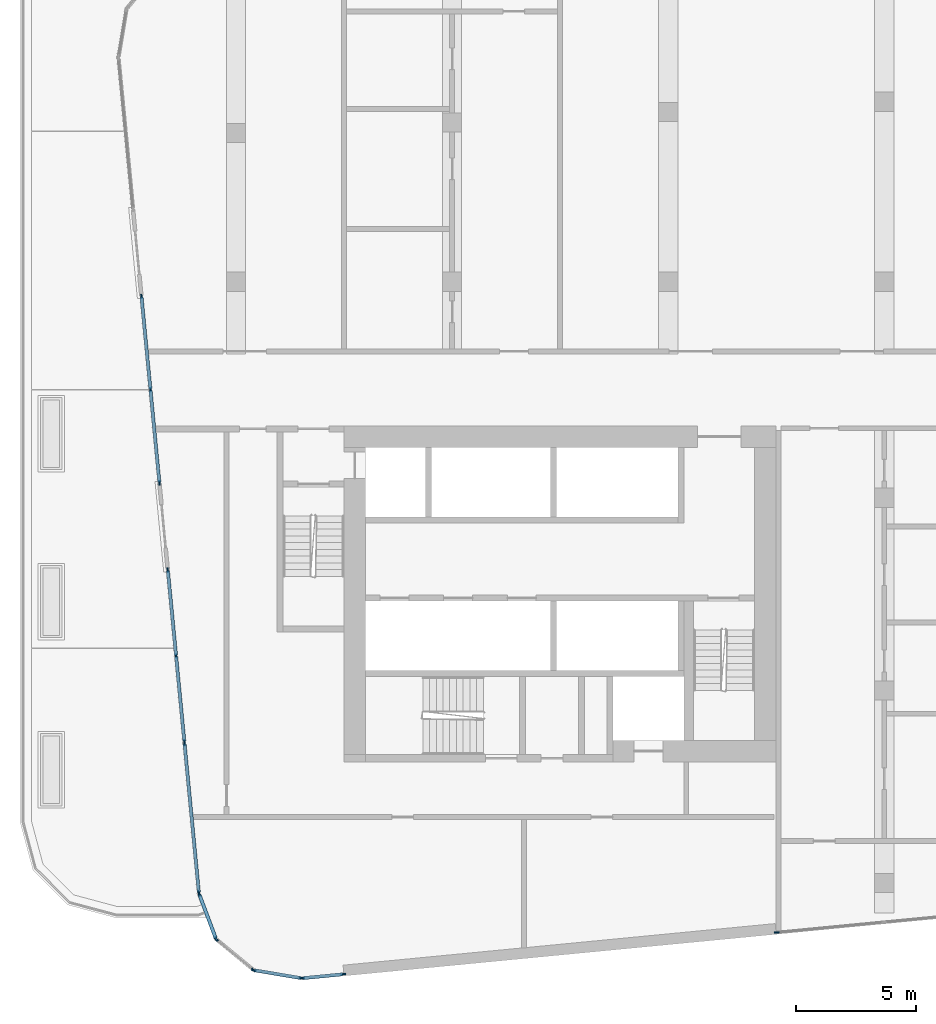
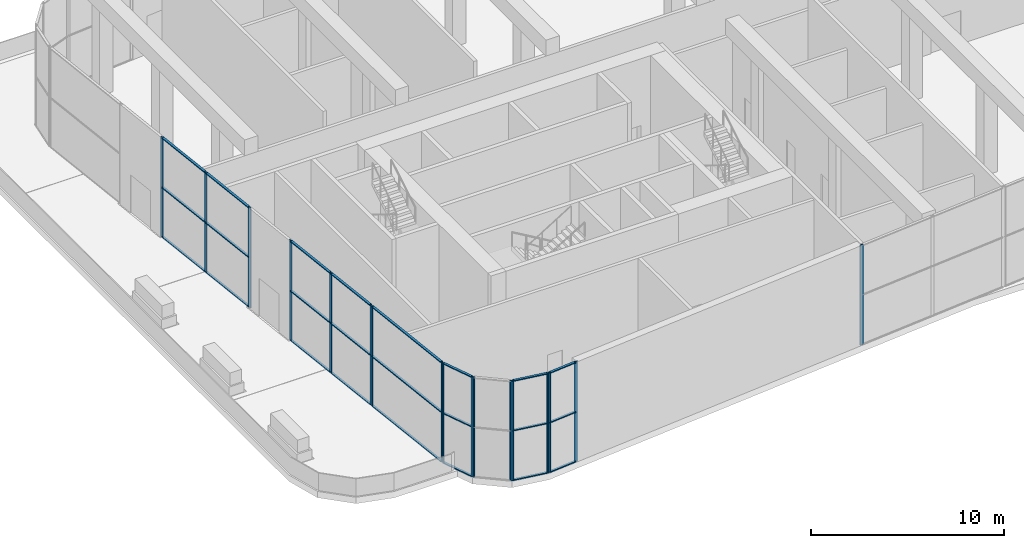
# One storey, part 2 of 25: 41 members, 8 elements without a shape of their own.
"""IFC4 building model written with IfcOpenShell, lengths in metres."""

from ifc_helpers import new_model, si_unit, direction, frame, origin, origin_2d, place, context, subcontext, project, spatial, rectangle, extrude, material, material_profile, profile_set, type_object, element, aggregate, save


model = new_model("IFC4")

# Units and contexts
model_context = context("Model", 3, precision=1e-05, world=origin(), true_north=direction((0.0, 1.0)))
body_context = subcontext(model_context, "Body", "Model", "MODEL_VIEW")
ifc_project = project(units=[si_unit("LENGTHUNIT", "METRE"), si_unit("AREAUNIT", "SQUARE_METRE"), si_unit("VOLUMEUNIT", "CUBIC_METRE"), si_unit("PLANEANGLEUNIT", "RADIAN"), si_unit("MASSUNIT", "GRAM", prefix="KILO")], contexts=[model_context])

# Site, building, storey
site_placement = place(None, origin())
site = spatial("IfcSite", under=ifc_project, at=site_placement, CompositionType="ELEMENT")
building_placement = place(site_placement, origin())
building = spatial("IfcBuilding", under=site, at=building_placement, Name="Kajstack Hotel Tower", CompositionType="ELEMENT")
storey_placement = place(building_placement, frame((0.0, 0.0, 104.199951171875)))
storey = spatial("IfcBuildingStorey", under=building, at=storey_placement, Name="L22", CompositionType="ELEMENT", Elevation=104.199951171875)

# Curtain wall, members
ifc_material_1 = material(Name="Aluminium-framed curtain wall, low-iron insulated glass", Category="aluminium")
curtain_wall_type = type_object("IfcCurtainWallType", Name="CW-GARDEN", PredefinedType="NOTDEFINED", material=ifc_material_1)
curtain_wall_1_placement = place(storey_placement, origin())
curtain_wall_1 = element("IfcCurtainWall", 1, at=curtain_wall_1_placement, inside=storey, type_object=curtain_wall_type, Name="Curtain wall CU6 L22-00-02-0", PredefinedType="NOTDEFINED")
ifc_material_2 = material(Name="Aluminium", Category="aluminium")
ifc_material_profile_1 = material_profile(ifc_material_2, rectangle(XDim=0.06005859375, YDim=0.199951171875, at=origin_2d()), Name="Aluminium mullion 60 x 200")
ifc_profile_set_1 = profile_set([ifc_material_profile_1], Name="Aluminium")
member_type_1 = type_object("IfcMemberType", Name="CW-M-GARDEN", PredefinedType="MULLION", material=ifc_profile_set_1)
member_1_placement = place(storey_placement, frame((-39.942138671875, 3.885498046875, 0.0), z_axis=(0.0, 0.0, 1.0), x_axis=(0.995396181858, 0.095845923974, 0.0)))
member_1 = element("IfcMember", 2, at=member_1_placement, type_object=member_type_1, Name="CU6 mullion 1", PredefinedType="MULLION", context=body_context, shape_type="SweptSolid", body=[
    extrude(rectangle(XDim=0.06005859375, YDim=0.199951171875, at=origin_2d()), origin(), (0.0, 0.0, 1.0), 6.320068359375),
])
member_2_placement = place(storey_placement, frame((-39.56884765625, 0.007080078125, 0.0), z_axis=(0.0, 0.0, 1.0), x_axis=(0.995396181858, 0.095845923974, 0.0)))
member_2 = element("IfcMember", 3, at=member_2_placement, type_object=member_type_1, Name="CU6 mullion 2", PredefinedType="MULLION", context=body_context, shape_type="SweptSolid", body=[
    extrude(rectangle(XDim=0.06005859375, YDim=0.199951171875, at=origin_2d()), origin(), (0.0, 0.0, 1.0), 6.320068359375),
])
member_3_placement = place(storey_placement, frame((-39.1953125, -3.871337890625, 0.0), z_axis=(0.0, 0.0, 1.0), x_axis=(0.995396181858, 0.095845923974, 0.0)))
member_3 = element("IfcMember", 4, at=member_3_placement, type_object=member_type_1, Name="CU6 mullion 3", PredefinedType="MULLION", context=body_context, shape_type="SweptSolid", body=[
    extrude(rectangle(XDim=0.06005859375, YDim=0.199951171875, at=origin_2d()), origin(), (0.0, 0.0, 1.0), 6.320068359375),
])

curtain_wall_2_placement = place(storey_placement, origin())
curtain_wall_2 = element("IfcCurtainWall", 5, at=curtain_wall_2_placement, inside=storey, type_object=curtain_wall_type, Name="Curtain wall CU6 L22-00-04-0", PredefinedType="NOTDEFINED")
member_4_placement = place(storey_placement, frame((-38.844482421875, -7.514404296875, 0.0), z_axis=(0.0, 0.0, 1.0), x_axis=(0.995396182526, 0.095845917042, 0.0)))
member_4 = element("IfcMember", 6, at=member_4_placement, type_object=member_type_1, Name="CU6 mullion 1", PredefinedType="MULLION", context=body_context, shape_type="SweptSolid", body=[
    extrude(rectangle(XDim=0.06005859375, YDim=0.199951171875, at=origin_2d()), origin(), (0.0, 0.0, 1.0), 6.320068359375),
])
member_5_placement = place(storey_placement, frame((-38.500244140625, -11.088623046875, 0.0), z_axis=(0.0, 0.0, 1.0), x_axis=(0.995396182526, 0.095845917042, 0.0)))
member_5 = element("IfcMember", 7, at=member_5_placement, type_object=member_type_1, Name="CU6 mullion 2", PredefinedType="MULLION", context=body_context, shape_type="SweptSolid", body=[
    extrude(rectangle(XDim=0.06005859375, YDim=0.199951171875, at=origin_2d()), origin(), (0.0, 0.0, 1.0), 6.320068359375),
])
member_6_placement = place(storey_placement, frame((-38.15625, -14.6630859375, 0.0), z_axis=(0.0, 0.0, 1.0), x_axis=(0.995396182526, 0.095845917042, 0.0)))
member_6 = element("IfcMember", 8, at=member_6_placement, type_object=member_type_1, Name="CU6 mullion 3", PredefinedType="MULLION", context=body_context, shape_type="SweptSolid", body=[
    extrude(rectangle(XDim=0.06005859375, YDim=0.199951171875, at=origin_2d()), origin(), (0.0, 0.0, 1.0), 6.320068359375),
])

curtain_wall_3_placement = place(storey_placement, origin())
curtain_wall_3 = element("IfcCurtainWall", 9, at=curtain_wall_3_placement, inside=storey, type_object=curtain_wall_type, Name="Curtain wall CU6 L22-00-04-1", PredefinedType="NOTDEFINED")
member_7_placement = place(storey_placement, frame((-38.150390625, -14.72265625, 0.0), z_axis=(0.0, 0.0, 1.0), x_axis=(0.995396188258, 0.095845857505, 0.0)))
member_7 = element("IfcMember", 10, at=member_7_placement, type_object=member_type_1, Name="CU6 mullion 1", PredefinedType="MULLION", context=body_context, shape_type="SweptSolid", body=[
    extrude(rectangle(XDim=0.06005859375, YDim=0.199951171875, at=origin_2d()), origin(), (0.0, 0.0, 1.0), 6.320068359375),
])
member_8_placement = place(storey_placement, frame((-37.550537109375, -20.95166015625, 0.0), z_axis=(0.0, 0.0, 1.0), x_axis=(0.995396188258, 0.095845857505, 0.0)))
member_8 = element("IfcMember", 11, at=member_8_placement, type_object=member_type_1, Name="CU6 mullion 2", PredefinedType="MULLION", context=body_context, shape_type="SweptSolid", body=[
    extrude(rectangle(XDim=0.06005859375, YDim=0.199951171875, at=origin_2d()), origin(), (0.0, 0.0, 1.0), 6.320068359375),
])

curtain_wall_4_placement = place(storey_placement, origin())
curtain_wall_4 = element("IfcCurtainWall", 12, at=curtain_wall_4_placement, inside=storey, type_object=curtain_wall_type, Name="Curtain wall CU6 L22-01-00-0", PredefinedType="NOTDEFINED")
member_9_placement = place(storey_placement, frame((-37.541748046875, -20.990478515625, 0.0), z_axis=(0.0, 0.0, 1.0), x_axis=(0.936680004881, 0.350186476689, 0.0)))
member_9 = element("IfcMember", 13, at=member_9_placement, type_object=member_type_1, Name="CU6 mullion 1", PredefinedType="MULLION", context=body_context, shape_type="SweptSolid", body=[
    extrude(rectangle(XDim=0.06005859375, YDim=0.199951171875, at=origin_2d()), origin(), (0.0, 0.0, 1.0), 6.320068359375),
])
member_10_placement = place(storey_placement, frame((-36.837646484375, -22.873779296875, 0.0), z_axis=(0.0, 0.0, 1.0), x_axis=(0.936680004881, 0.350186476689, 0.0)))
member_10 = element("IfcMember", 14, at=member_10_placement, type_object=member_type_1, Name="CU6 mullion 2", PredefinedType="MULLION", context=body_context, shape_type="SweptSolid", body=[
    extrude(rectangle(XDim=0.06005859375, YDim=0.199951171875, at=origin_2d()), origin(), (0.0, 0.0, 1.0), 6.320068359375),
])

curtain_wall_5_placement = place(storey_placement, origin())
curtain_wall_5 = element("IfcCurtainWall", 15, at=curtain_wall_5_placement, inside=storey, type_object=curtain_wall_type, Name="Curtain wall CU6 L22-02-00-0", PredefinedType="NOTDEFINED")
member_11_placement = place(storey_placement, frame((-36.826416015625, -22.889404296875, 0.0), z_axis=(0.0, 0.0, 1.0), x_axis=(0.636066072627, 0.771634596978, 0.0)))
member_11 = element("IfcMember", 16, at=member_11_placement, type_object=member_type_1, Name="CU6 mullion 1", PredefinedType="MULLION", context=body_context, shape_type="SweptSolid", body=[
    extrude(rectangle(XDim=0.06005859375, YDim=0.199951171875, at=origin_2d()), origin(), (0.0, 0.0, 1.0), 6.320068359375),
])
member_12_placement = place(storey_placement, frame((-35.275146484375, -24.168212890625, 0.0), z_axis=(0.0, 0.0, 1.0), x_axis=(0.636066072627, 0.771634596978, 0.0)))
member_12 = element("IfcMember", 17, at=member_12_placement, type_object=member_type_1, Name="CU6 mullion 2", PredefinedType="MULLION", context=body_context, shape_type="SweptSolid", body=[
    extrude(rectangle(XDim=0.06005859375, YDim=0.199951171875, at=origin_2d()), origin(), (0.0, 0.0, 1.0), 6.320068359375),
])
aggregate(curtain_wall_5, [member_11, member_12])

curtain_wall_6_placement = place(storey_placement, origin())
curtain_wall_6 = element("IfcCurtainWall", 18, at=curtain_wall_6_placement, inside=storey, type_object=curtain_wall_type, Name="Curtain wall CU6 L22-03-00-0", PredefinedType="NOTDEFINED")
member_13_placement = place(storey_placement, frame((-35.257568359375, -24.17626953125, 0.0), z_axis=(0.0, 0.0, 1.0), x_axis=(0.16503335054, 0.986287986954, 0.0)))
member_13 = element("IfcMember", 19, at=member_13_placement, type_object=member_type_1, Name="CU6 mullion 1", PredefinedType="MULLION", context=body_context, shape_type="SweptSolid", body=[
    extrude(rectangle(XDim=0.06005859375, YDim=0.199951171875, at=origin_2d()), origin(), (0.0, 0.0, 1.0), 6.320068359375),
])
member_14_placement = place(storey_placement, frame((-33.274658203125, -24.508056640625, 0.0), z_axis=(0.0, 0.0, 1.0), x_axis=(0.16503335054, 0.986287986954, 0.0)))
member_14 = element("IfcMember", 20, at=member_14_placement, type_object=member_type_1, Name="CU6 mullion 2", PredefinedType="MULLION", context=body_context, shape_type="SweptSolid", body=[
    extrude(rectangle(XDim=0.06005859375, YDim=0.199951171875, at=origin_2d()), origin(), (0.0, 0.0, 1.0), 6.320068359375),
])

curtain_wall_7_placement = place(storey_placement, origin())
curtain_wall_7 = element("IfcCurtainWall", 21, at=curtain_wall_7_placement, inside=storey, type_object=curtain_wall_type, Name="Curtain wall CU6 L22-04-00-0", PredefinedType="NOTDEFINED")
member_15_placement = place(storey_placement, frame((-33.23486328125, -24.50927734375, 0.0), z_axis=(0.0, 0.0, 1.0), x_axis=(-0.095845634766, 0.995396209706, 0.0)))
member_15 = element("IfcMember", 22, at=member_15_placement, type_object=member_type_1, Name="CU6 mullion 1", PredefinedType="MULLION", context=body_context, shape_type="SweptSolid", body=[
    extrude(rectangle(XDim=0.06005859375, YDim=0.199951171875, at=origin_2d()), origin(), (0.0, 0.0, 1.0), 6.320068359375),
])
member_16_placement = place(storey_placement, frame((-31.537109375, -24.345947265625, 0.0), z_axis=(0.0, 0.0, 1.0), x_axis=(-0.095845634766, 0.995396209706, 0.0)))
member_16 = element("IfcMember", 23, at=member_16_placement, type_object=member_type_1, Name="CU6 mullion 2", PredefinedType="MULLION", context=body_context, shape_type="SweptSolid", body=[
    extrude(rectangle(XDim=0.06005859375, YDim=0.199951171875, at=origin_2d()), origin(), (0.0, 0.0, 1.0), 6.320068359375),
])

# Curtain wall, member
curtain_wall_8_placement = place(storey_placement, origin())
curtain_wall_8 = element("IfcCurtainWall", 24, at=curtain_wall_8_placement, inside=storey, type_object=curtain_wall_type, Name="Curtain wall CU6 L22-04-02-0", PredefinedType="NOTDEFINED")
member_17_placement = place(storey_placement, frame((-13.477294921875, -22.60693359375, 0.0), z_axis=(0.0, 0.0, 1.0), x_axis=(-0.095845530442, 0.995396219751, 0.0)))
member_17 = element("IfcMember", 25, at=member_17_placement, type_object=member_type_1, Name="CU6 mullion 1", PredefinedType="MULLION", context=body_context, shape_type="SweptSolid", body=[
    extrude(rectangle(XDim=0.06005859375, YDim=0.199951171875, at=origin_2d()), origin(), (0.0, 0.0, 1.0), 6.320068359375),
])
aggregate(curtain_wall_8, [member_17])

# Member
ifc_material_profile_2 = material_profile(ifc_material_2, rectangle(XDim=0.139892578125, YDim=0.06005859375, at=origin_2d()), Name="Aluminium transom 140 x 60")
ifc_profile_set_2 = profile_set([ifc_material_profile_2], Name="Aluminium")
member_type_2 = type_object("IfcMemberType", Name="CW-T-GARDEN", PredefinedType="USERDEFINED", material=ifc_profile_set_2)
member_18_placement = place(storey_placement, frame((-39.939208984375, 3.855712890625, 0.030029296875), z_axis=(0.095842158171, -0.995396544457, 0.0), x_axis=(0.995396544457, 0.095842158171, 0.0)))
member_18 = element("IfcMember", 26, at=member_18_placement, type_object=member_type_2, Name="CU6 transom 1.1", ObjectType="TRANSOM", PredefinedType="USERDEFINED", context=body_context, shape_type="SweptSolid", body=[
    extrude(rectangle(XDim=0.139892578125, YDim=0.06005859375, at=origin_2d()), origin(), (0.0, 0.0, 1.0), 3.836181640625),
])

member_19_placement = place(storey_placement, frame((-39.939208984375, 3.855712890625, 3.16015625), z_axis=(0.095842158171, -0.995396544457, 0.0), x_axis=(0.995396544457, 0.095842158171, 0.0)))
member_19 = element("IfcMember", 27, at=member_19_placement, type_object=member_type_2, Name="CU6 transom 1.2", ObjectType="TRANSOM", PredefinedType="USERDEFINED", context=body_context, shape_type="SweptSolid", body=[
    extrude(rectangle(XDim=0.139892578125, YDim=0.06005859375, at=origin_2d()), origin(), (0.0, 0.0, 1.0), 3.836181640625),
])

member_20_placement = place(storey_placement, frame((-39.939208984375, 3.855712890625, 6.2900390625), z_axis=(0.095842158171, -0.995396544457, 0.0), x_axis=(0.995396544457, 0.095842158171, 0.0)))
member_20 = element("IfcMember", 28, at=member_20_placement, type_object=member_type_2, Name="CU6 transom 1.3", ObjectType="TRANSOM", PredefinedType="USERDEFINED", context=body_context, shape_type="SweptSolid", body=[
    extrude(rectangle(XDim=0.139892578125, YDim=0.06005859375, at=origin_2d()), origin(), (0.0, 0.0, 1.0), 3.836181640625),
])

member_21_placement = place(storey_placement, frame((-39.56591796875, -0.022705078125, 0.030029296875), z_axis=(0.095842158171, -0.995396544457, 0.0), x_axis=(0.995396544457, 0.095842158171, 0.0)))
member_21 = element("IfcMember", 29, at=member_21_placement, type_object=member_type_2, Name="CU6 transom 2.1", ObjectType="TRANSOM", PredefinedType="USERDEFINED", context=body_context, shape_type="SweptSolid", body=[
    extrude(rectangle(XDim=0.139892578125, YDim=0.06005859375, at=origin_2d()), origin(), (0.0, 0.0, 1.0), 3.836181640625),
])

member_22_placement = place(storey_placement, frame((-39.56591796875, -0.022705078125, 3.16015625), z_axis=(0.095842158171, -0.995396544457, 0.0), x_axis=(0.995396544457, 0.095842158171, 0.0)))
member_22 = element("IfcMember", 30, at=member_22_placement, type_object=member_type_2, Name="CU6 transom 2.2", ObjectType="TRANSOM", PredefinedType="USERDEFINED", context=body_context, shape_type="SweptSolid", body=[
    extrude(rectangle(XDim=0.139892578125, YDim=0.06005859375, at=origin_2d()), origin(), (0.0, 0.0, 1.0), 3.836181640625),
])

member_23_placement = place(storey_placement, frame((-39.56591796875, -0.022705078125, 6.2900390625), z_axis=(0.095842158171, -0.995396544457, 0.0), x_axis=(0.995396544457, 0.095842158171, 0.0)))
member_23 = element("IfcMember", 31, at=member_23_placement, type_object=member_type_2, Name="CU6 transom 2.3", ObjectType="TRANSOM", PredefinedType="USERDEFINED", context=body_context, shape_type="SweptSolid", body=[
    extrude(rectangle(XDim=0.139892578125, YDim=0.06005859375, at=origin_2d()), origin(), (0.0, 0.0, 1.0), 3.836181640625),
])

aggregate(curtain_wall_1, [member_1, member_2, member_3, member_18, member_19, member_20, member_21, member_22, member_23])

member_24_placement = place(storey_placement, frame((-38.841552734375, -7.544189453125, 0.030029296875), z_axis=(0.095833617005, -0.99539736681, 0.0), x_axis=(0.99539736681, 0.095833617005, 0.0)))
member_24 = element("IfcMember", 32, at=member_24_placement, type_object=member_type_2, Name="CU6 transom 1.1", ObjectType="TRANSOM", PredefinedType="USERDEFINED", context=body_context, shape_type="SweptSolid", body=[
    extrude(rectangle(XDim=0.139892578125, YDim=0.06005859375, at=origin_2d()), origin(), (0.0, 0.0, 1.0), 3.531005859375),
])

member_25_placement = place(storey_placement, frame((-38.841552734375, -7.544189453125, 3.16015625), z_axis=(0.095833617005, -0.99539736681, 0.0), x_axis=(0.99539736681, 0.095833617005, 0.0)))
member_25 = element("IfcMember", 33, at=member_25_placement, type_object=member_type_2, Name="CU6 transom 1.2", ObjectType="TRANSOM", PredefinedType="USERDEFINED", context=body_context, shape_type="SweptSolid", body=[
    extrude(rectangle(XDim=0.139892578125, YDim=0.06005859375, at=origin_2d()), origin(), (0.0, 0.0, 1.0), 3.531005859375),
])

member_26_placement = place(storey_placement, frame((-38.841552734375, -7.544189453125, 6.2900390625), z_axis=(0.095833617005, -0.99539736681, 0.0), x_axis=(0.99539736681, 0.095833617005, 0.0)))
member_26 = element("IfcMember", 34, at=member_26_placement, type_object=member_type_2, Name="CU6 transom 1.3", ObjectType="TRANSOM", PredefinedType="USERDEFINED", context=body_context, shape_type="SweptSolid", body=[
    extrude(rectangle(XDim=0.139892578125, YDim=0.06005859375, at=origin_2d()), origin(), (0.0, 0.0, 1.0), 3.531005859375),
])

member_27_placement = place(storey_placement, frame((-38.49755859375, -11.11865234375, 0.030029296875), z_axis=(0.095908726226, -0.995390132678, 0.0), x_axis=(0.995390132678, 0.095908726226, 0.0)))
member_27 = element("IfcMember", 35, at=member_27_placement, type_object=member_type_2, Name="CU6 transom 2.1", ObjectType="TRANSOM", PredefinedType="USERDEFINED", context=body_context, shape_type="SweptSolid", body=[
    extrude(rectangle(XDim=0.139892578125, YDim=0.06005859375, at=origin_2d()), origin(), (0.0, 0.0, 1.0), 3.53076171875),
])

member_28_placement = place(storey_placement, frame((-38.49755859375, -11.11865234375, 3.16015625), z_axis=(0.095908726226, -0.995390132678, 0.0), x_axis=(0.995390132678, 0.095908726226, 0.0)))
member_28 = element("IfcMember", 36, at=member_28_placement, type_object=member_type_2, Name="CU6 transom 2.2", ObjectType="TRANSOM", PredefinedType="USERDEFINED", context=body_context, shape_type="SweptSolid", body=[
    extrude(rectangle(XDim=0.139892578125, YDim=0.06005859375, at=origin_2d()), origin(), (0.0, 0.0, 1.0), 3.53076171875),
])

member_29_placement = place(storey_placement, frame((-38.49755859375, -11.11865234375, 6.2900390625), z_axis=(0.095908726226, -0.995390132678, 0.0), x_axis=(0.995390132678, 0.095908726226, 0.0)))
member_29 = element("IfcMember", 37, at=member_29_placement, type_object=member_type_2, Name="CU6 transom 2.3", ObjectType="TRANSOM", PredefinedType="USERDEFINED", context=body_context, shape_type="SweptSolid", body=[
    extrude(rectangle(XDim=0.139892578125, YDim=0.06005859375, at=origin_2d()), origin(), (0.0, 0.0, 1.0), 3.53076171875),
])

aggregate(curtain_wall_2, [member_4, member_5, member_6, member_24, member_25, member_26, member_27, member_28, member_29])

member_30_placement = place(storey_placement, frame((-38.1474609375, -14.752685546875, 0.030029296875), z_axis=(0.095840758265, -0.995396679247, 0.0), x_axis=(0.995396679247, 0.095840758265, 0.0)))
member_30 = element("IfcMember", 38, at=member_30_placement, type_object=member_type_2, Name="CU6 transom 1.1", ObjectType="TRANSOM", PredefinedType="USERDEFINED", context=body_context, shape_type="SweptSolid", body=[
    extrude(rectangle(XDim=0.139892578125, YDim=0.06005859375, at=origin_2d()), origin(), (0.0, 0.0, 1.0), 6.19775390625),
])

member_31_placement = place(storey_placement, frame((-38.1474609375, -14.752685546875, 3.16015625), z_axis=(0.095840758265, -0.995396679247, 0.0), x_axis=(0.995396679247, 0.095840758265, 0.0)))
member_31 = element("IfcMember", 39, at=member_31_placement, type_object=member_type_2, Name="CU6 transom 1.2", ObjectType="TRANSOM", PredefinedType="USERDEFINED", context=body_context, shape_type="SweptSolid", body=[
    extrude(rectangle(XDim=0.139892578125, YDim=0.06005859375, at=origin_2d()), origin(), (0.0, 0.0, 1.0), 6.19775390625),
])

member_32_placement = place(storey_placement, frame((-38.1474609375, -14.752685546875, 6.2900390625), z_axis=(0.095840758265, -0.995396679247, 0.0), x_axis=(0.995396679247, 0.095840758265, 0.0)))
member_32 = element("IfcMember", 40, at=member_32_placement, type_object=member_type_2, Name="CU6 transom 1.3", ObjectType="TRANSOM", PredefinedType="USERDEFINED", context=body_context, shape_type="SweptSolid", body=[
    extrude(rectangle(XDim=0.139892578125, YDim=0.06005859375, at=origin_2d()), origin(), (0.0, 0.0, 1.0), 6.19775390625),
])

aggregate(curtain_wall_3, [member_7, member_8, member_30, member_31, member_32])

member_33_placement = place(storey_placement, frame((-37.53125, -21.0185546875, 0.030029296875), z_axis=(0.350190587105, -0.936678468154, 0.0), x_axis=(0.936678468154, 0.350190587105, 0.0)))
member_33 = element("IfcMember", 41, at=member_33_placement, type_object=member_type_2, Name="CU6 transom 1.1", ObjectType="TRANSOM", PredefinedType="USERDEFINED", context=body_context, shape_type="SweptSolid", body=[
    extrude(rectangle(XDim=0.139892578125, YDim=0.06005859375, at=origin_2d()), origin(), (0.0, 0.0, 1.0), 1.95068359375),
])

member_34_placement = place(storey_placement, frame((-37.53125, -21.0185546875, 3.16015625), z_axis=(0.350190587105, -0.936678468154, 0.0), x_axis=(0.936678468154, 0.350190587105, 0.0)))
member_34 = element("IfcMember", 42, at=member_34_placement, type_object=member_type_2, Name="CU6 transom 1.2", ObjectType="TRANSOM", PredefinedType="USERDEFINED", context=body_context, shape_type="SweptSolid", body=[
    extrude(rectangle(XDim=0.139892578125, YDim=0.06005859375, at=origin_2d()), origin(), (0.0, 0.0, 1.0), 1.95068359375),
])

member_35_placement = place(storey_placement, frame((-37.53125, -21.0185546875, 6.2900390625), z_axis=(0.350190587105, -0.936678468154, 0.0), x_axis=(0.936678468154, 0.350190587105, 0.0)))
member_35 = element("IfcMember", 43, at=member_35_placement, type_object=member_type_2, Name="CU6 transom 1.3", ObjectType="TRANSOM", PredefinedType="USERDEFINED", context=body_context, shape_type="SweptSolid", body=[
    extrude(rectangle(XDim=0.139892578125, YDim=0.06005859375, at=origin_2d()), origin(), (0.0, 0.0, 1.0), 1.95068359375),
])

aggregate(curtain_wall_4, [member_9, member_10, member_33, member_34, member_35])

member_36_placement = place(storey_placement, frame((-35.22802734375, -24.18115234375, 0.030029296875), z_axis=(0.986299040765, -0.164967276108, 0.0), x_axis=(0.164967276108, 0.986299040765, 0.0)))
member_36 = element("IfcMember", 44, at=member_36_placement, type_object=member_type_2, Name="CU6 transom 1.1", ObjectType="TRANSOM", PredefinedType="USERDEFINED", context=body_context, shape_type="SweptSolid", body=[
    extrude(rectangle(XDim=0.139892578125, YDim=0.06005859375, at=origin_2d()), origin(), (0.0, 0.0, 1.0), 1.950439453125),
])

member_37_placement = place(storey_placement, frame((-35.22802734375, -24.18115234375, 3.16015625), z_axis=(0.986299040765, -0.164967276108, 0.0), x_axis=(0.164967276108, 0.986299040765, 0.0)))
member_37 = element("IfcMember", 45, at=member_37_placement, type_object=member_type_2, Name="CU6 transom 1.2", ObjectType="TRANSOM", PredefinedType="USERDEFINED", context=body_context, shape_type="SweptSolid", body=[
    extrude(rectangle(XDim=0.139892578125, YDim=0.06005859375, at=origin_2d()), origin(), (0.0, 0.0, 1.0), 1.950439453125),
])

member_38_placement = place(storey_placement, frame((-35.22802734375, -24.18115234375, 6.2900390625), z_axis=(0.986299040765, -0.164967276108, 0.0), x_axis=(0.164967276108, 0.986299040765, 0.0)))
member_38 = element("IfcMember", 46, at=member_38_placement, type_object=member_type_2, Name="CU6 transom 1.3", ObjectType="TRANSOM", PredefinedType="USERDEFINED", context=body_context, shape_type="SweptSolid", body=[
    extrude(rectangle(XDim=0.139892578125, YDim=0.06005859375, at=origin_2d()), origin(), (0.0, 0.0, 1.0), 1.950439453125),
])

aggregate(curtain_wall_6, [member_13, member_14, member_36, member_37, member_38])

member_39_placement = place(storey_placement, frame((-33.205078125, -24.506591796875, 0.030029296875), z_axis=(0.995397606655, 0.095831125767, 0.0), x_axis=(-0.095831125767, 0.995397606655, 0.0)))
member_39 = element("IfcMember", 47, at=member_39_placement, type_object=member_type_2, Name="CU6 transom 1.1", ObjectType="TRANSOM", PredefinedType="USERDEFINED", context=body_context, shape_type="SweptSolid", body=[
    extrude(rectangle(XDim=0.139892578125, YDim=0.06005859375, at=origin_2d()), origin(), (0.0, 0.0, 1.0), 1.645751953125),
])

member_40_placement = place(storey_placement, frame((-33.205078125, -24.506591796875, 3.16015625), z_axis=(0.995397606655, 0.095831125767, 0.0), x_axis=(-0.095831125767, 0.995397606655, 0.0)))
member_40 = element("IfcMember", 48, at=member_40_placement, type_object=member_type_2, Name="CU6 transom 1.2", ObjectType="TRANSOM", PredefinedType="USERDEFINED", context=body_context, shape_type="SweptSolid", body=[
    extrude(rectangle(XDim=0.139892578125, YDim=0.06005859375, at=origin_2d()), origin(), (0.0, 0.0, 1.0), 1.645751953125),
])

member_41_placement = place(storey_placement, frame((-33.205078125, -24.506591796875, 6.2900390625), z_axis=(0.995397606655, 0.095831125767, 0.0), x_axis=(-0.095831125767, 0.995397606655, 0.0)))
member_41 = element("IfcMember", 49, at=member_41_placement, type_object=member_type_2, Name="CU6 transom 1.3", ObjectType="TRANSOM", PredefinedType="USERDEFINED", context=body_context, shape_type="SweptSolid", body=[
    extrude(rectangle(XDim=0.139892578125, YDim=0.06005859375, at=origin_2d()), origin(), (0.0, 0.0, 1.0), 1.645751953125),
])

aggregate(curtain_wall_7, [member_15, member_16, member_39, member_40, member_41])

save(model, "model.ifc")
